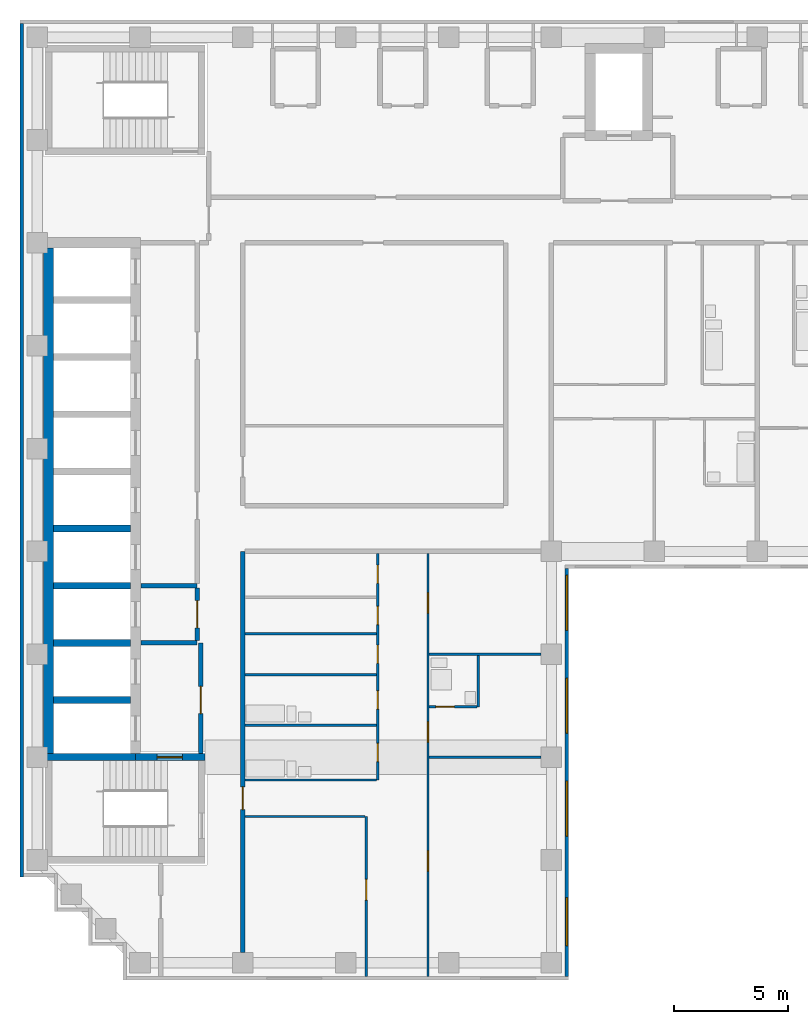
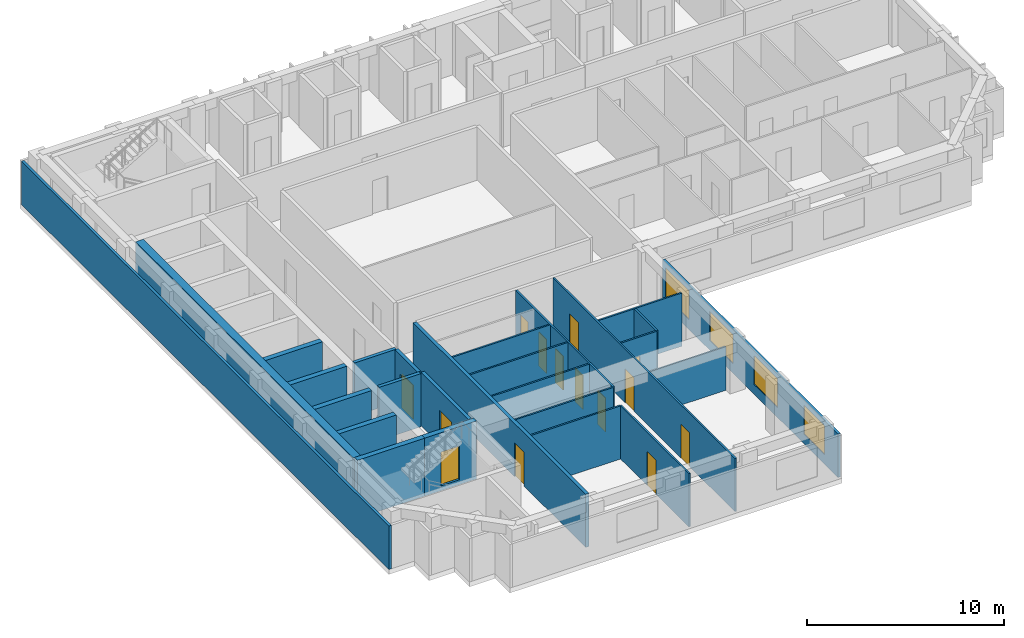
# One storey, part 2 of 8: 26 walls, 14 doors, 4 windows, 18 openings.
"""IFC4 building model written with IfcOpenShell, lengths in metres."""

from ifc_helpers import new_model, si_unit, direction, frame, frame_2d, origin, place, context, subcontext, project, spatial, rectangle, extrude, material, layer, layer_set, type_object, element, fill, save


model = new_model("IFC4")

# Units and contexts
model_context = context("Model", 3, precision=1e-05, world=origin(), true_north=direction((0.0, 1.0)))
body_context = subcontext(model_context, "Body", "Model", "MODEL_VIEW")
ifc_project = project(units=[si_unit("LENGTHUNIT", "METRE"), si_unit("AREAUNIT", "SQUARE_METRE"), si_unit("VOLUMEUNIT", "CUBIC_METRE"), si_unit("PLANEANGLEUNIT", "RADIAN"), si_unit("MASSUNIT", "GRAM", prefix="KILO")], contexts=[model_context])

# Site, building, storey
site_placement = place(None, origin())
site = spatial("IfcSite", under=ifc_project, at=site_placement, CompositionType="ELEMENT")
building_placement = place(site_placement, origin())
building = spatial("IfcBuilding", under=site, at=building_placement, Name="Firuza Court", CompositionType="ELEMENT")
storey_placement = place(building_placement, frame((0.0, 0.0, 236.60009765625)))
storey = spatial("IfcBuildingStorey", under=building, at=storey_placement, Name="L61", CompositionType="ELEMENT", Elevation=236.60009765625)

# Walls
ifc_material_1 = material(Name="Moisture-resistant gypsum board partition")
ifc_layer_1 = layer(ifc_material_1, 0.10009765625)
ifc_layer_set_1 = layer_set([ifc_layer_1], Name="Moisture-resistant gypsum board partition")
wall_type_1 = type_object("IfcWallType", Name="Bathroom partition 100", PredefinedType="PLUMBINGWALL", material=ifc_layer_set_1)
for number, where, z_axis, x_axis, name in (
    (1, (9.10009765625, 26.0, 0.0), (0.0, 0.0, 1.0), (1.0, 0.0, 0.0), "Bathroom partition 100 L61"),
    (2, (9.10009765625, 28.39990234375, 0.0), (0.0, 0.0, 1.0), (1.0, 0.0, 0.0), "Bathroom partition 100 L61"),
):
    element("IfcWall", number, at=place(storey_placement, frame(where, z_axis=z_axis, x_axis=x_axis)), inside=storey, type_object=wall_type_1, Name=name, PredefinedType="PLUMBINGWALL", context=body_context, shape_type="SweptSolid", body=[
        extrude(rectangle(XDim=5.75, YDim=0.10009765625, at=frame_2d((2.875, 0.0))), origin(), (0.0, 0.0, 1.0), 3.2998046875),
    ])

# Wall, opening, door
wall_1_placement = place(storey_placement, frame((17.14990234375, 29.199951171875, 0.0), z_axis=(0.0, 0.0, 1.0), x_axis=(1.0, 0.0, 0.0)))
wall_1 = element("IfcWall", 3, at=wall_1_placement, inside=storey, type_object=wall_type_1, Name="Bathroom partition 100 L61", PredefinedType="PLUMBINGWALL", context=body_context, shape_type="SweptSolid", body=[
    extrude(rectangle(XDim=2.10009765625, YDim=0.10009765625, at=frame_2d((1.050048828125, 0.0))), origin(), (0.0, 0.0, 1.0), 3.2998046875),
])
opening_1_placement = place(wall_1_placement, frame((0.300048828125, 0.0, 0.0)))
opening_1 = element("IfcOpeningElement", 4, at=opening_1_placement, cuts=wall_1, Name="Opening D61023", PredefinedType="OPENING", context=body_context, shape_type="SweptSolid", body=[
    extrude(rectangle(XDim=0.800048828125, YDim=2.10009765625, at=frame_2d((0.39990234375, 1.050048828125))), frame((0.0, 0.06201171875, 0.0), z_axis=(0.0, -1.0, 0.0), x_axis=(1.0, 0.0, 0.0)), (0.0, 0.0, 1.0), 0.1240234375),
])
ifc_material_2 = material(Name="Timber door leaf in hardwood frame", Category="wood")
door_type_1 = type_object("IfcDoorType", Name="Bathroom door 800", OperationType="SINGLE_SWING_LEFT", PredefinedType="DOOR", material=ifc_material_2)
door_1_placement = place(opening_1_placement, origin())
door_1 = element("IfcDoor", 5, at=door_1_placement, inside=storey, type_object=door_type_1, Name="En-suite door", OperationType="SINGLE_SWING_LEFT", OverallHeight=2.10009765625, OverallWidth=0.800048828125, PredefinedType="DOOR", context=body_context, shape_type="SweptSolid", body=[
    extrude(rectangle(XDim=0.800048828125, YDim=2.10009765625, at=frame_2d((0.39990234375, 1.050048828125))), frame((0.0, 0.02490234375, 0.0), z_axis=(0.0, -1.0, 0.0), x_axis=(1.0, 0.0, 0.0)), (0.0, 0.0, 1.0), 0.050048828125),
])
fill(opening_1, door_1)

# Walls
wall_2_placement = place(storey_placement, frame((19.300048828125, 29.199951171875, 0.0), z_axis=(0.0, 0.0, 1.0), x_axis=(0.0, 1.0, 0.0)))
element("IfcWall", 6, at=wall_2_placement, inside=storey, type_object=wall_type_1, Name="Bathroom partition 100 L61", PredefinedType="PLUMBINGWALL", context=body_context, shape_type="SweptSolid", body=[
    extrude(rectangle(XDim=2.25, YDim=0.10009765625, at=frame_2d((1.125, 0.0))), origin(), (0.0, 0.0, 1.0), 3.2998046875),
])
wall_3_placement = place(storey_placement, frame((9.10009765625, 30.60009765625, 0.0), z_axis=(0.0, 0.0, 1.0), x_axis=(1.0, 0.0, 0.0)))
element("IfcWall", 7, at=wall_3_placement, inside=storey, type_object=wall_type_1, Name="Bathroom partition 100 L61", PredefinedType="PLUMBINGWALL", context=body_context, shape_type="SweptSolid", body=[
    extrude(rectangle(XDim=5.75, YDim=0.10009765625, at=frame_2d((2.875, 0.0))), origin(), (0.0, 0.0, 1.0), 3.2998046875),
])
ifc_material_3 = material(Name="Concrete C50/60", Category="concrete")
ifc_layer_2 = layer(ifc_material_3, 0.300048828125)
ifc_layer_set_2 = layer_set([ifc_layer_2], Name="Concrete C50/60")
wall_type_2 = type_object("IfcWallType", Name="Core wall 300 C50/60", PredefinedType="SHEAR", material=ifc_layer_set_2)
wall_4_placement = place(storey_placement, frame((0.35009765625, 27.0, -0.300048828125), z_axis=(0.0, 0.0, 1.0), x_axis=(1.0, 0.0, 0.0)))
element("IfcWall", 8, at=wall_4_placement, inside=storey, type_object=wall_type_2, Name="Core wall lift shaft L61", PredefinedType="SHEAR", context=body_context, shape_type="SweptSolid", body=[
    extrude(rectangle(XDim=3.949951171875, YDim=0.300048828125, at=frame_2d((1.97509765625, 0.0))), origin(), (0.0, 0.0, 1.0), 3.599853515625),
])
for number, where, z_axis, x_axis, name in (
    (9, (0.72509765625, 29.5, -0.300048828125), (0.0, 0.0, 1.0), (1.0, 0.0, 0.0), "Core wall lift shaft L61"),
    (10, (0.72509765625, 32.0, -0.300048828125), (0.0, 0.0, 1.0), (1.0, 0.0, 0.0), "Core wall lift shaft L61"),
    (11, (0.72509765625, 34.5, -0.300048828125), (0.0, 0.0, 1.0), (1.0, 0.0, 0.0), "Core wall lift shaft L61"),
    (12, (0.72509765625, 37.0, -0.300048828125), (0.0, 0.0, 1.0), (1.0, 0.0, 0.0), "Core wall lift shaft L61"),
):
    element("IfcWall", number, at=place(storey_placement, frame(where, z_axis=z_axis, x_axis=x_axis)), inside=storey, type_object=wall_type_2, Name=name, PredefinedType="SHEAR", context=body_context, shape_type="SweptSolid", body=[
        extrude(rectangle(XDim=3.349853515625, YDim=0.300048828125, at=frame_2d((1.6748046875, 0.0))), origin(), (0.0, 0.0, 1.0), 3.599853515625),
    ])

# Wall, opening, door
wall_5_placement = place(storey_placement, frame((4.300048828125, 27.0, -0.300048828125), z_axis=(0.0, 0.0, 1.0), x_axis=(1.0, 0.0, 0.0)))
wall_5 = element("IfcWall", 13, at=wall_5_placement, inside=storey, type_object=wall_type_2, Name="Core wall stair L61", PredefinedType="SHEAR", context=body_context, shape_type="SweptSolid", body=[
    extrude(rectangle(XDim=3.050048828125, YDim=0.300048828125, at=frame_2d((1.52490234375, 0.0))), origin(), (0.0, 0.0, 1.0), 3.599853515625),
])
opening_2_placement = place(wall_5_placement, frame((0.949951171875, 0.0, 0.300048828125)))
opening_2 = element("IfcOpeningElement", 14, at=opening_2_placement, cuts=wall_5, Name="Opening D61009", PredefinedType="OPENING", context=body_context, shape_type="SweptSolid", body=[
    extrude(rectangle(XDim=1.10009765625, YDim=2.10009765625, at=frame_2d((0.550048828125, 1.050048828125))), frame((0.0, 0.162109375, 0.0), z_axis=(0.0, -1.0, 0.0), x_axis=(1.0, 0.0, 0.0)), (0.0, 0.0, 1.0), 0.323974609375),
])
ifc_material_4 = material(Name="Timber door leaf in hardwood frame", Category="wood")
door_type_2 = type_object("IfcDoorType", Name="Stair door 1100", OperationType="SINGLE_SWING_LEFT", PredefinedType="DOOR", material=ifc_material_4)
door_2_placement = place(opening_2_placement, frame((1.10009765625, 0.0, 0.0), z_axis=(0.0, 0.0, 1.0), x_axis=(-1.0, 0.0, 0.0)))
door_2 = element("IfcDoor", 15, at=door_2_placement, inside=storey, type_object=door_type_2, Name="Fire-fighting lobby door", OperationType="SINGLE_SWING_LEFT", OverallHeight=2.10009765625, OverallWidth=1.10009765625, PredefinedType="DOOR", context=body_context, shape_type="SweptSolid", body=[
    extrude(rectangle(XDim=1.10009765625, YDim=2.10009765625, at=frame_2d((0.550048828125, 1.050048828125))), frame((0.0, 0.02490234375, 0.0), z_axis=(0.0, -1.0, 0.0), x_axis=(1.0, 0.0, 0.0)), (0.0, 0.0, 1.0), 0.050048828125),
])
fill(opening_2, door_2)

# Wall
ifc_layer_3 = layer(ifc_material_3, 0.449951171875)
ifc_layer_set_3 = layer_set([ifc_layer_3], Name="Concrete C50/60")
wall_type_3 = type_object("IfcWallType", Name="Core wall 450 C50/60", PredefinedType="SHEAR", material=ifc_layer_set_3)
wall_6_placement = place(storey_placement, frame((0.5, 27.14990234375, -0.300048828125), z_axis=(0.0, 0.0, 1.0), x_axis=(0.0, 1.0, 0.0)))
element("IfcWall", 16, at=wall_6_placement, inside=storey, type_object=wall_type_3, Name="Core wall lift shaft L61", PredefinedType="SHEAR", context=body_context, shape_type="SweptSolid", body=[
    extrude(rectangle(XDim=22.125, YDim=0.449951171875, at=frame_2d((11.0625, 0.0))), origin(), (0.0, 0.0, 1.0), 3.599853515625),
])

# Wall, opening, door
ifc_material_5 = material(Name="Blockwork, plastered both sides", Category="masonry")
ifc_layer_4 = layer(ifc_material_5, 0.199951171875)
ifc_layer_set_4 = layer_set([ifc_layer_4], Name="Blockwork, plastered both sides")
wall_type_4 = type_object("IfcWallType", Name="Corridor wall 200", PredefinedType="PARTITIONING", material=ifc_layer_set_4)
wall_7_placement = place(storey_placement, frame((9.0, 18.449951171875, 0.0), z_axis=(0.0, 0.0, 1.0), x_axis=(0.0, 1.0, 0.0)))
wall_7 = element("IfcWall", 17, at=wall_7_placement, inside=storey, type_object=wall_type_4, Name="Corridor wall 200 L61", PredefinedType="PARTITIONING", context=body_context, shape_type="SweptSolid", body=[
    extrude(rectangle(XDim=17.550048828125, YDim=0.199951171875, at=frame_2d((8.77490234375, 0.0))), origin(), (0.0, 0.0, 1.0), 3.2998046875),
])
opening_3_placement = place(wall_7_placement, frame((6.25, 0.0, 0.0)))
opening_3 = element("IfcOpeningElement", 18, at=opening_3_placement, cuts=wall_7, Name="Opening D61017", PredefinedType="OPENING", context=body_context, shape_type="SweptSolid", body=[
    extrude(rectangle(XDim=1.0, YDim=2.10009765625, at=frame_2d((0.5, 1.050048828125))), frame((0.0, 0.11181640625, 0.0), z_axis=(0.0, -1.0, 0.0), x_axis=(1.0, 0.0, 0.0)), (0.0, 0.0, 1.0), 0.223876953125),
])
ifc_material_6 = material(Name="Timber door leaf in hardwood frame", Category="wood")
door_type_3 = type_object("IfcDoorType", Name="Flat entrance door 1000", OperationType="SINGLE_SWING_LEFT", PredefinedType="DOOR", material=ifc_material_6)
door_3_placement = place(opening_3_placement, origin())
door_3 = element("IfcDoor", 19, at=door_3_placement, inside=storey, type_object=door_type_3, Name="Flat entrance door", OperationType="SINGLE_SWING_LEFT", OverallHeight=2.10009765625, OverallWidth=1.0, PredefinedType="DOOR", context=body_context, shape_type="SweptSolid", body=[
    extrude(rectangle(XDim=1.0, YDim=2.10009765625, at=frame_2d((0.5, 1.050048828125))), frame((0.0, 0.02490234375, 0.0), z_axis=(0.0, -1.0, 0.0), x_axis=(1.0, 0.0, 0.0)), (0.0, 0.0, 1.0), 0.050048828125),
])
fill(opening_3, door_3)

ifc_material_7 = material(Name="Timber stud partition, plasterboard both sides", Category="wood")
ifc_layer_5 = layer(ifc_material_7, 0.10009765625)
ifc_layer_set_5 = layer_set([ifc_layer_5], Name="Timber stud partition, plasterboard both sides")
wall_type_5 = type_object("IfcWallType", Name="Partition wall 100", PredefinedType="PARTITIONING", material=ifc_layer_set_5)
wall_8_placement = place(storey_placement, frame((14.39990234375, 17.39990234375, 0.0), z_axis=(0.0, 0.0, 1.0), x_axis=(0.0, 1.0, 0.0)))
wall_8 = element("IfcWall", 20, at=wall_8_placement, inside=storey, type_object=wall_type_5, Name="Partition wall 100 L61", PredefinedType="PARTITIONING", context=body_context, shape_type="SweptSolid", body=[
    extrude(rectangle(XDim=7.0, YDim=0.10009765625, at=frame_2d((3.5, 0.0))), origin(), (0.0, 0.0, 1.0), 3.2998046875),
])
opening_4_placement = place(wall_8_placement, frame((3.35009765625, 0.0, 0.0)))
opening_4 = element("IfcOpeningElement", 21, at=opening_4_placement, cuts=wall_8, Name="Opening D61013", PredefinedType="OPENING", context=body_context, shape_type="SweptSolid", body=[
    extrude(rectangle(XDim=0.89990234375, YDim=2.10009765625, at=frame_2d((0.449951171875, 1.050048828125))), frame((0.0, 0.06201171875, 0.0), z_axis=(0.0, -1.0, 0.0), x_axis=(1.0, 0.0, 0.0)), (0.0, 0.0, 1.0), 0.1240234375),
])
ifc_material_8 = material(Name="Timber door leaf in hardwood frame", Category="wood")
door_type_4 = type_object("IfcDoorType", Name="Room door 900", OperationType="SINGLE_SWING_LEFT", PredefinedType="DOOR", material=ifc_material_8)
door_4_placement = place(opening_4_placement, origin())
door_4 = element("IfcDoor", 22, at=door_4_placement, inside=storey, type_object=door_type_4, Name="Kitchen door", OperationType="SINGLE_SWING_RIGHT", OverallHeight=2.10009765625, OverallWidth=0.89990234375, PredefinedType="DOOR", context=body_context, shape_type="SweptSolid", body=[
    extrude(rectangle(XDim=0.89990234375, YDim=2.10009765625, at=frame_2d((0.449951171875, 1.050048828125))), frame((0.0, 0.02490234375, 0.0), z_axis=(0.0, -1.0, 0.0), x_axis=(1.0, 0.0, 0.0)), (0.0, 0.0, 1.0), 0.050048828125),
])
fill(opening_4, door_4)

# Wall, openings, doors
wall_9_placement = place(storey_placement, frame((17.10009765625, 17.39990234375, 0.0), z_axis=(0.0, 0.0, 1.0), x_axis=(0.0, 1.0, 0.0)))
wall_9 = element("IfcWall", 23, at=wall_9_placement, inside=storey, type_object=wall_type_5, Name="Partition wall 100 L61", PredefinedType="PARTITIONING", context=body_context, shape_type="SweptSolid", body=[
    extrude(rectangle(XDim=18.5, YDim=0.10009765625, at=frame_2d((9.25, 0.0))), origin(), (0.0, 0.0, 1.0), 3.2998046875),
])
opening_5_placement = place(wall_9_placement, frame((4.60009765625, 0.0, 0.0)))
opening_5 = element("IfcOpeningElement", 24, at=opening_5_placement, cuts=wall_9, Name="Opening D61014", PredefinedType="OPENING", context=body_context, shape_type="SweptSolid", body=[
    extrude(rectangle(XDim=0.89990234375, YDim=2.10009765625, at=frame_2d((0.449951171875, 1.050048828125))), frame((0.0, 0.06201171875, 0.0), z_axis=(0.0, -1.0, 0.0), x_axis=(1.0, 0.0, 0.0)), (0.0, 0.0, 1.0), 0.1240234375),
])
opening_6_placement = place(wall_9_placement, frame((10.25, 0.0, 0.0)))
opening_6 = element("IfcOpeningElement", 25, at=opening_6_placement, cuts=wall_9, Name="Opening D61015", PredefinedType="OPENING", context=body_context, shape_type="SweptSolid", body=[
    extrude(rectangle(XDim=0.89990234375, YDim=2.10009765625, at=frame_2d((0.449951171875, 1.050048828125))), frame((0.0, 0.06201171875, 0.0), z_axis=(0.0, -1.0, 0.0), x_axis=(1.0, 0.0, 0.0)), (0.0, 0.0, 1.0), 0.1240234375),
])
opening_7_placement = place(wall_9_placement, frame((15.89990234375, 0.0, 0.0)))
opening_7 = element("IfcOpeningElement", 26, at=opening_7_placement, cuts=wall_9, Name="Opening D61016", PredefinedType="OPENING", context=body_context, shape_type="SweptSolid", body=[
    extrude(rectangle(XDim=0.89990234375, YDim=2.10009765625, at=frame_2d((0.449951171875, 1.050048828125))), frame((0.0, 0.06201171875, 0.0), z_axis=(0.0, -1.0, 0.0), x_axis=(1.0, 0.0, 0.0)), (0.0, 0.0, 1.0), 0.1240234375),
])
door_5_placement = place(opening_5_placement, frame((0.89990234375, 0.0, 0.0), z_axis=(0.0, 0.0, 1.0), x_axis=(-1.0, 0.0, 0.0)))
door_5 = element("IfcDoor", 27, at=door_5_placement, inside=storey, type_object=door_type_4, Name="Living room door", OperationType="SINGLE_SWING_LEFT", OverallHeight=2.10009765625, OverallWidth=0.89990234375, PredefinedType="DOOR", context=body_context, shape_type="SweptSolid", body=[
    extrude(rectangle(XDim=0.89990234375, YDim=2.10009765625, at=frame_2d((0.449951171875, 1.050048828125))), frame((0.0, 0.02490234375, 0.0), z_axis=(0.0, -1.0, 0.0), x_axis=(1.0, 0.0, 0.0)), (0.0, 0.0, 1.0), 0.050048828125),
])
fill(opening_5, door_5)
door_6_placement = place(opening_6_placement, frame((0.89990234375, 0.0, 0.0), z_axis=(0.0, 0.0, 1.0), x_axis=(-1.0, 0.0, 0.0)))
door_6 = element("IfcDoor", 28, at=door_6_placement, inside=storey, type_object=door_type_4, Name="Bedroom door", OperationType="SINGLE_SWING_RIGHT", OverallHeight=2.10009765625, OverallWidth=0.89990234375, PredefinedType="DOOR", context=body_context, shape_type="SweptSolid", body=[
    extrude(rectangle(XDim=0.89990234375, YDim=2.10009765625, at=frame_2d((0.449951171875, 1.050048828125))), frame((0.0, 0.02490234375, 0.0), z_axis=(0.0, -1.0, 0.0), x_axis=(1.0, 0.0, 0.0)), (0.0, 0.0, 1.0), 0.050048828125),
])
fill(opening_6, door_6)
door_7_placement = place(opening_7_placement, frame((0.89990234375, 0.0, 0.0), z_axis=(0.0, 0.0, 1.0), x_axis=(-1.0, 0.0, 0.0)))
door_7 = element("IfcDoor", 29, at=door_7_placement, inside=storey, type_object=door_type_4, Name="Bedroom door", OperationType="SINGLE_SWING_RIGHT", OverallHeight=2.10009765625, OverallWidth=0.89990234375, PredefinedType="DOOR", context=body_context, shape_type="SweptSolid", body=[
    extrude(rectangle(XDim=0.89990234375, YDim=2.10009765625, at=frame_2d((0.449951171875, 1.050048828125))), frame((0.0, 0.02490234375, 0.0), z_axis=(0.0, -1.0, 0.0), x_axis=(1.0, 0.0, 0.0)), (0.0, 0.0, 1.0), 0.050048828125),
])
fill(opening_7, door_7)

# Wall
wall_10_placement = place(storey_placement, frame((9.10009765625, 24.39990234375, 0.0), z_axis=(0.0, 0.0, 1.0), x_axis=(1.0, 0.0, 0.0)))
element("IfcWall", 30, at=wall_10_placement, inside=storey, type_object=wall_type_5, Name="Partition wall 100 L61", PredefinedType="PARTITIONING", context=body_context, shape_type="SweptSolid", body=[
    extrude(rectangle(XDim=5.25, YDim=0.10009765625, at=frame_2d((2.625, 0.0))), origin(), (0.0, 0.0, 1.0), 3.2998046875),
])

# Wall, openings, doors
wall_11_placement = place(storey_placement, frame((14.89990234375, 26.0, 0.0), z_axis=(0.0, 0.0, 1.0), x_axis=(0.0, 1.0, 0.0)))
wall_11 = element("IfcWall", 31, at=wall_11_placement, inside=storey, type_object=wall_type_5, Name="Partition wall 100 L61", PredefinedType="PARTITIONING", context=body_context, shape_type="SweptSolid", body=[
    extrude(rectangle(XDim=9.89990234375, YDim=0.10009765625, at=frame_2d((4.949951171875, 0.0))), origin(), (0.0, 0.0, 1.0), 3.2998046875),
])
opening_8_placement = place(wall_11_placement, frame((0.800048828125, 0.0, 0.0)))
opening_8 = element("IfcOpeningElement", 32, at=opening_8_placement, cuts=wall_11, Name="Opening D61018", PredefinedType="OPENING", context=body_context, shape_type="SweptSolid", body=[
    extrude(rectangle(XDim=0.800048828125, YDim=2.10009765625, at=frame_2d((0.39990234375, 1.050048828125))), frame((0.0, 0.06201171875, 0.0), z_axis=(0.0, -1.0, 0.0), x_axis=(1.0, 0.0, 0.0)), (0.0, 0.0, 1.0), 0.1240234375),
])
opening_9_placement = place(wall_11_placement, frame((3.10009765625, 0.0, 0.0)))
opening_9 = element("IfcOpeningElement", 33, at=opening_9_placement, cuts=wall_11, Name="Opening D61019", PredefinedType="OPENING", context=body_context, shape_type="SweptSolid", body=[
    extrude(rectangle(XDim=0.800048828125, YDim=2.10009765625, at=frame_2d((0.39990234375, 1.050048828125))), frame((0.0, 0.06201171875, 0.0), z_axis=(0.0, -1.0, 0.0), x_axis=(1.0, 0.0, 0.0)), (0.0, 0.0, 1.0), 0.1240234375),
])
opening_10_placement = place(wall_11_placement, frame((6.800048828125, 0.0, 0.0)))
opening_10 = element("IfcOpeningElement", 34, at=opening_10_placement, cuts=wall_11, Name="Opening D61020", PredefinedType="OPENING", context=body_context, shape_type="SweptSolid", body=[
    extrude(rectangle(XDim=0.800048828125, YDim=2.10009765625, at=frame_2d((0.39990234375, 1.050048828125))), frame((0.0, 0.06201171875, 0.0), z_axis=(0.0, -1.0, 0.0), x_axis=(1.0, 0.0, 0.0)), (0.0, 0.0, 1.0), 0.1240234375),
])
opening_11_placement = place(wall_11_placement, frame((8.60009765625, 0.0, 0.0)))
opening_11 = element("IfcOpeningElement", 35, at=opening_11_placement, cuts=wall_11, Name="Opening D61021", PredefinedType="OPENING", context=body_context, shape_type="SweptSolid", body=[
    extrude(rectangle(XDim=0.800048828125, YDim=2.10009765625, at=frame_2d((0.39990234375, 1.050048828125))), frame((0.0, 0.06201171875, 0.0), z_axis=(0.0, -1.0, 0.0), x_axis=(1.0, 0.0, 0.0)), (0.0, 0.0, 1.0), 0.1240234375),
])
opening_12_placement = place(wall_11_placement, frame((5.10009765625, 0.0, 0.0)))
opening_12 = element("IfcOpeningElement", 36, at=opening_12_placement, cuts=wall_11, Name="Opening D61022", PredefinedType="OPENING", context=body_context, shape_type="SweptSolid", body=[
    extrude(rectangle(XDim=0.800048828125, YDim=2.10009765625, at=frame_2d((0.39990234375, 1.050048828125))), frame((0.0, 0.06201171875, 0.0), z_axis=(0.0, -1.0, 0.0), x_axis=(1.0, 0.0, 0.0)), (0.0, 0.0, 1.0), 0.1240234375),
])
door_8_placement = place(opening_8_placement, origin())
door_8 = element("IfcDoor", 37, at=door_8_placement, inside=storey, type_object=door_type_1, Name="Bathroom door", OperationType="SINGLE_SWING_LEFT", OverallHeight=2.10009765625, OverallWidth=0.800048828125, PredefinedType="DOOR", context=body_context, shape_type="SweptSolid", body=[
    extrude(rectangle(XDim=0.800048828125, YDim=2.10009765625, at=frame_2d((0.39990234375, 1.050048828125))), frame((0.0, 0.02490234375, 0.0), z_axis=(0.0, -1.0, 0.0), x_axis=(1.0, 0.0, 0.0)), (0.0, 0.0, 1.0), 0.050048828125),
])
fill(opening_8, door_8)
door_9_placement = place(opening_9_placement, origin())
door_9 = element("IfcDoor", 38, at=door_9_placement, inside=storey, type_object=door_type_1, Name="Bathroom 2 door", OperationType="SINGLE_SWING_LEFT", OverallHeight=2.10009765625, OverallWidth=0.800048828125, PredefinedType="DOOR", context=body_context, shape_type="SweptSolid", body=[
    extrude(rectangle(XDim=0.800048828125, YDim=2.10009765625, at=frame_2d((0.39990234375, 1.050048828125))), frame((0.0, 0.02490234375, 0.0), z_axis=(0.0, -1.0, 0.0), x_axis=(1.0, 0.0, 0.0)), (0.0, 0.0, 1.0), 0.050048828125),
])
fill(opening_9, door_9)
ifc_material_9 = material(Name="Timber door leaf in hardwood frame", Category="wood")
door_type_5 = type_object("IfcDoorType", Name="Room door 800", OperationType="SINGLE_SWING_LEFT", PredefinedType="DOOR", material=ifc_material_9)
door_10_placement = place(opening_10_placement, origin())
door_10 = element("IfcDoor", 39, at=door_10_placement, inside=storey, type_object=door_type_5, Name="Store door", OperationType="SINGLE_SWING_LEFT", OverallHeight=2.10009765625, OverallWidth=0.800048828125, PredefinedType="DOOR", context=body_context, shape_type="SweptSolid", body=[
    extrude(rectangle(XDim=0.800048828125, YDim=2.10009765625, at=frame_2d((0.39990234375, 1.050048828125))), frame((0.0, 0.02490234375, 0.0), z_axis=(0.0, -1.0, 0.0), x_axis=(1.0, 0.0, 0.0)), (0.0, 0.0, 1.0), 0.050048828125),
])
fill(opening_10, door_10)
door_11_placement = place(opening_11_placement, origin())
door_11 = element("IfcDoor", 40, at=door_11_placement, inside=storey, type_object=door_type_5, Name="Utility room door", OperationType="SINGLE_SWING_LEFT", OverallHeight=2.10009765625, OverallWidth=0.800048828125, PredefinedType="DOOR", context=body_context, shape_type="SweptSolid", body=[
    extrude(rectangle(XDim=0.800048828125, YDim=2.10009765625, at=frame_2d((0.39990234375, 1.050048828125))), frame((0.0, 0.02490234375, 0.0), z_axis=(0.0, -1.0, 0.0), x_axis=(1.0, 0.0, 0.0)), (0.0, 0.0, 1.0), 0.050048828125),
])
fill(opening_11, door_11)
door_12_placement = place(opening_12_placement, origin())
door_12 = element("IfcDoor", 41, at=door_12_placement, inside=storey, type_object=door_type_5, Name="Walk-in wardrobe door", OperationType="SINGLE_SWING_LEFT", OverallHeight=2.10009765625, OverallWidth=0.800048828125, PredefinedType="DOOR", context=body_context, shape_type="SweptSolid", body=[
    extrude(rectangle(XDim=0.800048828125, YDim=2.10009765625, at=frame_2d((0.39990234375, 1.050048828125))), frame((0.0, 0.02490234375, 0.0), z_axis=(0.0, -1.0, 0.0), x_axis=(1.0, 0.0, 0.0)), (0.0, 0.0, 1.0), 0.050048828125),
])
fill(opening_12, door_12)

# Walls
wall_12_placement = place(storey_placement, frame((17.14990234375, 27.0, 0.0), z_axis=(0.0, 0.0, 1.0), x_axis=(1.0, 0.0, 0.0)))
element("IfcWall", 42, at=wall_12_placement, inside=storey, type_object=wall_type_5, Name="Partition wall 100 L61", PredefinedType="PARTITIONING", context=body_context, shape_type="SweptSolid", body=[
    extrude(rectangle(XDim=4.900146484375, YDim=0.10009765625, at=frame_2d((2.4501953125, 0.0))), origin(), (0.0, 0.0, 1.0), 2.699951171875),
])
wall_13_placement = place(storey_placement, frame((17.14990234375, 31.5, 0.0), z_axis=(0.0, 0.0, 1.0), x_axis=(1.0, 0.0, 0.0)))
element("IfcWall", 43, at=wall_13_placement, inside=storey, type_object=wall_type_5, Name="Partition wall 100 L61", PredefinedType="PARTITIONING", context=body_context, shape_type="SweptSolid", body=[
    extrude(rectangle(XDim=4.900146484375, YDim=0.10009765625, at=frame_2d((2.4501953125, 0.0))), origin(), (0.0, 0.0, 1.0), 3.2998046875),
])
wall_14_placement = place(storey_placement, frame((9.10009765625, 32.39990234375, 0.0), z_axis=(0.0, 0.0, 1.0), x_axis=(1.0, 0.0, 0.0)))
element("IfcWall", 44, at=wall_14_placement, inside=storey, type_object=wall_type_5, Name="Partition wall 100 L61", PredefinedType="PARTITIONING", context=body_context, shape_type="SweptSolid", body=[
    extrude(rectangle(XDim=5.75, YDim=0.10009765625, at=frame_2d((2.875, 0.0))), origin(), (0.0, 0.0, 1.0), 3.2998046875),
])

# Wall, openings, windows
ifc_material_10 = material(Name="Ceramic tile", Category="ceramic")
ifc_layer_6 = layer(ifc_material_10, 0.02001953125)
ifc_material_11 = material(Name="Mineral wool insulation", Category="insulation")
ifc_layer_7 = layer(ifc_material_11, 0.050048828125)
ifc_material_12 = material(Name="Concrete C40/50 precast", Category="concrete")
ifc_layer_8 = layer(ifc_material_12, 0.080078125)
ifc_layer_set_6 = layer_set([ifc_layer_6, ifc_layer_7, ifc_layer_8], Name="Concrete C40/50 precast")
wall_type_6 = type_object("IfcWallType", Name="Precast cladding wall with turquoise TILE PANEL face 150", PredefinedType="STANDARD", material=ifc_layer_set_6)
wall_15_placement = place(storey_placement, frame((23.175048828125, 17.39990234375, 0.0), z_axis=(0.0, 0.0, 1.0), x_axis=(0.0, 1.0, 0.0)))
wall_15 = element("IfcWall", 45, at=wall_15_placement, inside=storey, type_object=wall_type_6, Name="Facade wall L61 E", PredefinedType="STANDARD", context=body_context, shape_type="SweptSolid", body=[
    extrude(rectangle(XDim=17.85009765625, YDim=0.14990234375, at=frame_2d((8.925048828125, 0.0))), origin(), (0.0, 0.0, 1.0), 2.699951171875),
])
opening_13_placement = place(wall_15_placement, frame((1.356689453125, 0.0, 0.60009765625)))
opening_13 = element("IfcOpeningElement", 46, at=opening_13_placement, cuts=wall_15, Name="Opening W6", PredefinedType="OPENING", context=body_context, shape_type="SweptSolid", body=[
    extrude(rectangle(XDim=2.10009765625, YDim=1.800048828125, at=frame_2d((1.050048828125, 0.89990234375))), frame((0.0, 0.0869140625, 0.0), z_axis=(0.0, -1.0, 0.0), x_axis=(1.0, 0.0, 0.0)), (0.0, 0.0, 1.0), 0.173828125),
])
opening_14_placement = place(wall_15_placement, frame((6.14990234375, 0.0, 0.60009765625)))
opening_14 = element("IfcOpeningElement", 47, at=opening_14_placement, cuts=wall_15, Name="Opening W1", PredefinedType="OPENING", context=body_context, shape_type="SweptSolid", body=[
    extrude(rectangle(XDim=2.39990234375, YDim=1.800048828125, at=frame_2d((1.199951171875, 0.89990234375))), frame((0.0, 0.0869140625, 0.0), z_axis=(0.0, -1.0, 0.0), x_axis=(1.0, 0.0, 0.0)), (0.0, 0.0, 1.0), 0.173828125),
])
opening_15_placement = place(wall_15_placement, frame((10.64990234375, 0.0, 0.60009765625)))
opening_15 = element("IfcOpeningElement", 48, at=opening_15_placement, cuts=wall_15, Name="Opening W1", PredefinedType="OPENING", context=body_context, shape_type="SweptSolid", body=[
    extrude(rectangle(XDim=2.39990234375, YDim=1.800048828125, at=frame_2d((1.199951171875, 0.89990234375))), frame((0.0, 0.0869140625, 0.0), z_axis=(0.0, -1.0, 0.0), x_axis=(1.0, 0.0, 0.0)), (0.0, 0.0, 1.0), 0.173828125),
])
opening_16_placement = place(wall_15_placement, frame((15.14990234375, 0.0, 0.60009765625)))
opening_16 = element("IfcOpeningElement", 49, at=opening_16_placement, cuts=wall_15, Name="Opening W1", PredefinedType="OPENING", context=body_context, shape_type="SweptSolid", body=[
    extrude(rectangle(XDim=2.39990234375, YDim=1.800048828125, at=frame_2d((1.199951171875, 0.89990234375))), frame((0.0, 0.0869140625, 0.0), z_axis=(0.0, -1.0, 0.0), x_axis=(1.0, 0.0, 0.0)), (0.0, 0.0, 1.0), 0.173828125),
])
ifc_material_13 = material(Name="Aluminium frame, triple clear glazing", Category="aluminium")
window_type_1 = type_object("IfcWindowType", Name="Window W1 2400 x 1800", PartitioningType="SINGLE_PANEL", PredefinedType="WINDOW", material=ifc_material_13)
window_1_placement = place(opening_14_placement, origin())
window_1 = element("IfcWindow", 50, at=window_1_placement, inside=storey, type_object=window_type_1, Name="Window L61", OverallHeight=1.800048828125, OverallWidth=2.39990234375, PartitioningType="SINGLE_PANEL", PredefinedType="WINDOW", context=body_context, shape_type="SweptSolid", body=[
    extrude(rectangle(XDim=2.39990234375, YDim=1.800048828125, at=frame_2d((1.199951171875, 0.89990234375))), frame((0.0, 0.030029296875, 0.0), z_axis=(0.0, -1.0, 0.0), x_axis=(1.0, 0.0, 0.0)), (0.0, 0.0, 1.0), 0.06005859375),
])
fill(opening_14, window_1)
window_2_placement = place(opening_15_placement, origin())
window_2 = element("IfcWindow", 51, at=window_2_placement, inside=storey, type_object=window_type_1, Name="Window L61", OverallHeight=1.800048828125, OverallWidth=2.39990234375, PartitioningType="SINGLE_PANEL", PredefinedType="WINDOW", context=body_context, shape_type="SweptSolid", body=[
    extrude(rectangle(XDim=2.39990234375, YDim=1.800048828125, at=frame_2d((1.199951171875, 0.89990234375))), frame((0.0, 0.030029296875, 0.0), z_axis=(0.0, -1.0, 0.0), x_axis=(1.0, 0.0, 0.0)), (0.0, 0.0, 1.0), 0.06005859375),
])
fill(opening_15, window_2)
window_3_placement = place(opening_16_placement, origin())
window_3 = element("IfcWindow", 52, at=window_3_placement, inside=storey, type_object=window_type_1, Name="Window L61", OverallHeight=1.800048828125, OverallWidth=2.39990234375, PartitioningType="SINGLE_PANEL", PredefinedType="WINDOW", context=body_context, shape_type="SweptSolid", body=[
    extrude(rectangle(XDim=2.39990234375, YDim=1.800048828125, at=frame_2d((1.199951171875, 0.89990234375))), frame((0.0, 0.030029296875, 0.0), z_axis=(0.0, -1.0, 0.0), x_axis=(1.0, 0.0, 0.0)), (0.0, 0.0, 1.0), 0.06005859375),
])
fill(opening_16, window_3)
ifc_material_14 = material(Name="Aluminium frame, triple clear glazing", Category="aluminium")
window_type_2 = type_object("IfcWindowType", Name="Window W6 2100 x 1800", PartitioningType="SINGLE_PANEL", PredefinedType="WINDOW", material=ifc_material_14)
window_4_placement = place(opening_13_placement, origin())
window_4 = element("IfcWindow", 53, at=window_4_placement, inside=storey, type_object=window_type_2, Name="Window L61", OverallHeight=1.800048828125, OverallWidth=2.10009765625, PartitioningType="SINGLE_PANEL", PredefinedType="WINDOW", context=body_context, shape_type="SweptSolid", body=[
    extrude(rectangle(XDim=2.10009765625, YDim=1.800048828125, at=frame_2d((1.050048828125, 0.89990234375))), frame((0.0, 0.030029296875, 0.0), z_axis=(0.0, -1.0, 0.0), x_axis=(1.0, 0.0, 0.0)), (0.0, 0.0, 1.0), 0.06005859375),
])
fill(opening_13, window_4)

# Walls
wall_16_placement = place(storey_placement, frame((-0.675048828125, 59.10009765625, 0.0), z_axis=(0.0, 0.0, 1.0), x_axis=(0.0, -1.0, 0.0)))
element("IfcWall", 54, at=wall_16_placement, inside=storey, type_object=wall_type_6, Name="Facade wall L61 W", PredefinedType="STANDARD", context=body_context, shape_type="SweptSolid", body=[
    extrude(rectangle(XDim=37.35009765625, YDim=0.14990234375, at=frame_2d((18.675048828125, 0.0))), origin(), (0.0, 0.0, 1.0), 2.699951171875),
])
ifc_material_15 = material(Name="Blockwork, fire-rated", Category="masonry")
ifc_layer_9 = layer(ifc_material_15, 0.199951171875)
ifc_layer_set_7 = layer_set([ifc_layer_9], Name="Blockwork, fire-rated")
wall_type_7 = type_object("IfcWallType", Name="Shaft wall 200", PredefinedType="PARTITIONING", material=ifc_layer_set_7)
for number, where, z_axis, x_axis, name in (
    (55, (4.544921875, 34.5, 0.0), (0.0, 0.0, 1.0), (1.0, 0.0, 0.0), "Shaft wall 200 L61"),
    (56, (4.544921875, 32.0, 0.0), (0.0, 0.0, 1.0), (1.0, 0.0, 0.0), "Shaft wall 200 L61"),
):
    element("IfcWall", number, at=place(storey_placement, frame(where, z_axis=z_axis, x_axis=x_axis)), inside=storey, type_object=wall_type_7, Name=name, PredefinedType="PARTITIONING", context=body_context, shape_type="SweptSolid", body=[
        extrude(rectangle(XDim=2.455078125, YDim=0.199951171875, at=frame_2d((1.2275390625, 0.0))), origin(), (0.0, 0.0, 1.0), 3.2998046875),
    ])

# Wall, opening, door
wall_17_placement = place(storey_placement, frame((7.0, 32.10009765625, 0.0), z_axis=(0.0, 0.0, 1.0), x_axis=(0.0, 1.0, 0.0)))
wall_17 = element("IfcWall", 57, at=wall_17_placement, inside=storey, type_object=wall_type_7, Name="Shaft wall 200 L61", PredefinedType="PARTITIONING", context=body_context, shape_type="SweptSolid", body=[
    extrude(rectangle(XDim=2.2998046875, YDim=0.199951171875, at=frame_2d((1.14990234375, 0.0))), origin(), (0.0, 0.0, 1.0), 3.2998046875),
])
opening_17_placement = place(wall_17_placement, frame((0.550048828125, 0.0, 0.0)))
opening_17 = element("IfcOpeningElement", 58, at=opening_17_placement, cuts=wall_17, Name="Opening D61007", PredefinedType="OPENING", context=body_context, shape_type="SweptSolid", body=[
    extrude(rectangle(XDim=1.199951171875, YDim=2.10009765625, at=frame_2d((0.60009765625, 1.050048828125))), frame((0.0, 0.11181640625, 0.0), z_axis=(0.0, -1.0, 0.0), x_axis=(1.0, 0.0, 0.0)), (0.0, 0.0, 1.0), 0.223876953125),
])
ifc_material_16 = material(Name="Timber door leaf in hardwood frame", Category="wood")
door_type_6 = type_object("IfcDoorType", Name="Lobby door 1200", OperationType="SINGLE_SWING_LEFT", PredefinedType="DOOR", material=ifc_material_16)
door_13_placement = place(opening_17_placement, origin())
door_13 = element("IfcDoor", 59, at=door_13_placement, inside=storey, type_object=door_type_6, Name="Lobby door", OperationType="SINGLE_SWING_LEFT", OverallHeight=2.10009765625, OverallWidth=1.199951171875, PredefinedType="DOOR", context=body_context, shape_type="SweptSolid", body=[
    extrude(rectangle(XDim=1.199951171875, YDim=2.10009765625, at=frame_2d((0.60009765625, 1.050048828125))), frame((0.0, 0.02490234375, 0.0), z_axis=(0.0, -1.0, 0.0), x_axis=(1.0, 0.0, 0.0)), (0.0, 0.0, 1.0), 0.050048828125),
])
fill(opening_17, door_13)

wall_18_placement = place(storey_placement, frame((7.14990234375, 27.169921875, 0.0), z_axis=(0.0, 0.0, 1.0), x_axis=(0.0, 1.0, 0.0)))
wall_18 = element("IfcWall", 60, at=wall_18_placement, inside=storey, type_object=wall_type_7, Name="Shaft wall 200 L61", PredefinedType="PARTITIONING", context=body_context, shape_type="SweptSolid", body=[
    extrude(rectangle(XDim=4.830078125, YDim=0.199951171875, at=frame_2d((2.4150390625, 0.0))), origin(), (0.0, 0.0, 1.0), 3.2998046875),
])
opening_18_placement = place(wall_18_placement, frame((1.72998046875, 0.0, 0.0)))
opening_18 = element("IfcOpeningElement", 61, at=opening_18_placement, cuts=wall_18, Name="Opening D61002", PredefinedType="OPENING", context=body_context, shape_type="SweptSolid", body=[
    extrude(rectangle(XDim=1.199951171875, YDim=2.10009765625, at=frame_2d((0.60009765625, 1.050048828125))), frame((0.0, 0.11181640625, 0.0), z_axis=(0.0, -1.0, 0.0), x_axis=(1.0, 0.0, 0.0)), (0.0, 0.0, 1.0), 0.223876953125),
])
door_14_placement = place(opening_18_placement, origin())
door_14 = element("IfcDoor", 62, at=door_14_placement, inside=storey, type_object=door_type_6, Name="Fire-fighting lobby door", OperationType="SINGLE_SWING_LEFT", OverallHeight=2.10009765625, OverallWidth=1.199951171875, PredefinedType="DOOR", context=body_context, shape_type="SweptSolid", body=[
    extrude(rectangle(XDim=1.199951171875, YDim=2.10009765625, at=frame_2d((0.60009765625, 1.050048828125))), frame((0.0, 0.02490234375, 0.0), z_axis=(0.0, -1.0, 0.0), x_axis=(1.0, 0.0, 0.0)), (0.0, 0.0, 1.0), 0.050048828125),
])
fill(opening_18, door_14)

save(model, "model.ifc")
